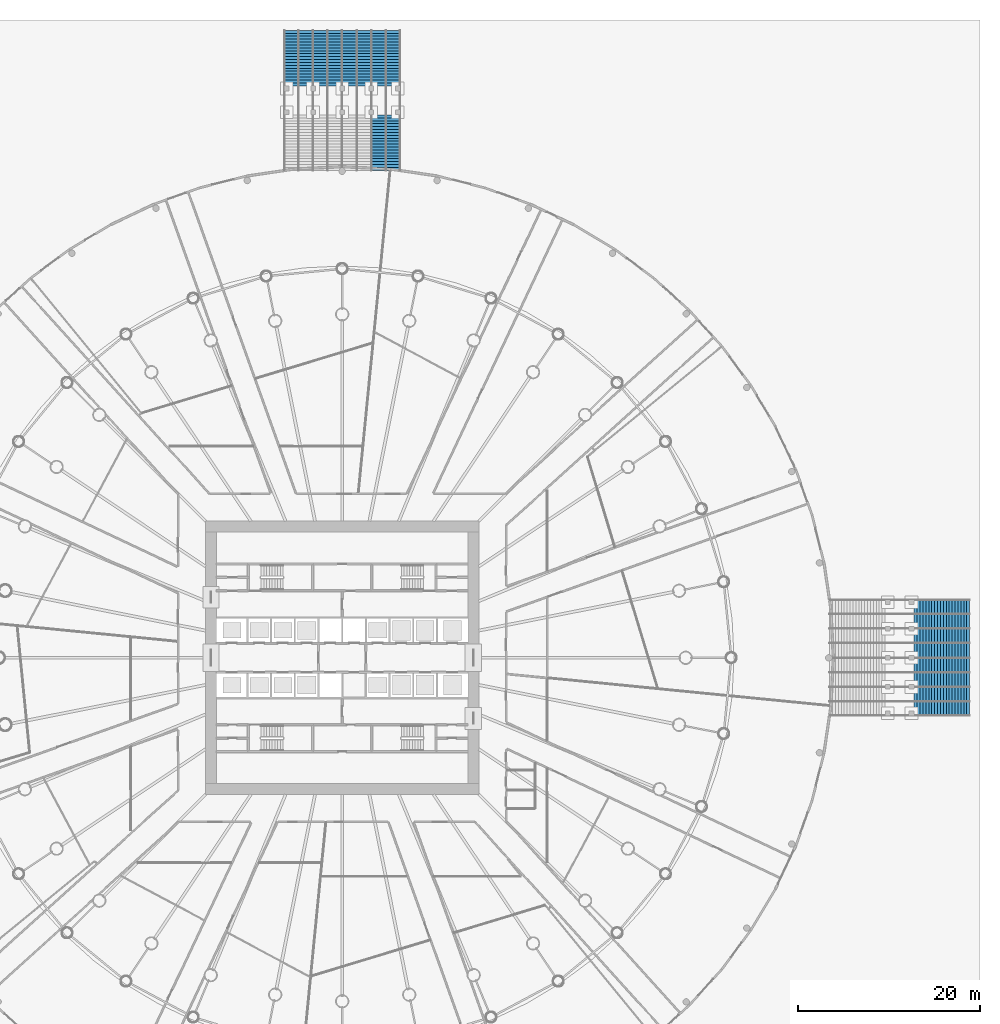
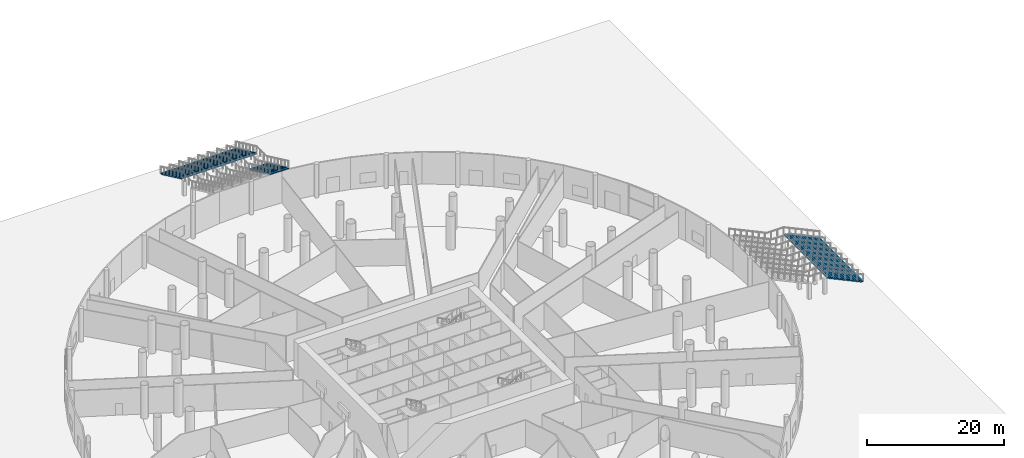
# One storey, part 26 of 33: 9 stair flights, 8 elements without a shape of their own.
"""IFC4 building model written with IfcOpenShell, lengths in metres."""

from ifc_helpers import new_model, si_unit, direction, frame, origin, place, context, subcontext, project, spatial, polyline, outline, extrude, material, type_object, element, aggregate, save


model = new_model("IFC4")

# Units and contexts
model_context = context("Model", 3, precision=1e-05, world=origin(), true_north=direction((0.0, 1.0)))
body_context = subcontext(model_context, "Body", "Model", "MODEL_VIEW")
ifc_project = project(units=[si_unit("LENGTHUNIT", "METRE"), si_unit("AREAUNIT", "SQUARE_METRE"), si_unit("VOLUMEUNIT", "CUBIC_METRE"), si_unit("PLANEANGLEUNIT", "RADIAN"), si_unit("MASSUNIT", "GRAM", prefix="KILO")], contexts=[model_context])

# Site, building, storey
site_placement = place(None, origin())
site = spatial("IfcSite", under=ifc_project, at=site_placement, CompositionType="ELEMENT")
building_placement = place(site_placement, origin())
building = spatial("IfcBuilding", under=site, at=building_placement, Name="Corvane Civic Tower", CompositionType="ELEMENT")
storey_placement = place(building_placement, origin())
storey = spatial("IfcBuildingStorey", under=building, at=storey_placement, Name="G", CompositionType="ELEMENT", Elevation=0.0)

# Stair, stair flights
ifc_material_1 = material(Name="Concrete C40/50", Category="concrete")
stair_type = type_object("IfcStairType", Name="PODIUM-ST-BROAD-EXT", PredefinedType="USERDEFINED", material=ifc_material_1)
stair_1_placement = place(storey_placement, origin())
stair_1 = element("IfcStair", 1, at=stair_1_placement, inside=storey, type_object=stair_type, Name="Broad exterior stair north run A", ObjectType="BROAD STEPS", PredefinedType="USERDEFINED")
ifc_material_2 = material(Name="Concrete C40/50", Category="concrete")
stair_flight_type = type_object("IfcStairFlightType", Name="PODIUM-SFL-BROAD-C40", PredefinedType="STRAIGHT", material=ifc_material_2)
stair_flight_1_placement = place(storey_placement, frame((4.800048828125, 68.860107421875, 0.0), z_axis=(0.0, 0.0, 1.0), x_axis=(0.0, -1.0, 0.0)))
stair_flight_1 = element("IfcStairFlight", 2, at=stair_flight_1_placement, type_object=stair_flight_type, Name="BS1-A flight 1", NumberOfRisers=20, NumberOfTreads=19, PredefinedType="STRAIGHT", RiserHeight=0.15, TreadLength=0.32, context=body_context, shape_type="SweptSolid", body=[
    extrude(outline(polyline([(0.0, 0.0), (0.0, 0.14990234375), (0.320068359375, 0.14990234375), (0.320068359375, 0.300048828125), (0.639892578125, 0.300048828125), (0.639892578125, 0.449951171875), (0.9599609375, 0.449951171875), (0.9599609375, 0.60009765625), (1.280029296875, 0.60009765625), (1.280029296875, 0.75), (1.60009765625, 0.75), (1.60009765625, 0.89990234375), (1.919921875, 0.89990234375), (1.919921875, 1.050048828125), (2.239990234375, 1.050048828125), (2.239990234375, 1.199951171875), (2.56005859375, 1.199951171875), (2.56005859375, 1.35009765625), (2.8798828125, 1.35009765625), (2.8798828125, 1.5), (3.199951171875, 1.5), (3.199951171875, 1.64990234375), (3.52001953125, 1.64990234375), (3.52001953125, 1.800048828125), (3.840087890625, 1.800048828125), (3.840087890625, 1.949951171875), (4.159912109375, 1.949951171875), (4.159912109375, 2.10009765625), (4.47998046875, 2.10009765625), (4.47998046875, 2.25), (4.800048828125, 2.25), (4.800048828125, 2.39990234375), (5.1201171875, 2.39990234375), (5.1201171875, 2.550048828125), (5.43994140625, 2.550048828125), (5.43994140625, 2.699951171875), (5.760009765625, 2.699951171875), (5.760009765625, 2.85009765625), (6.080078125, 2.85009765625), (6.080078125, 3.0), (6.080078125, 2.684326171875), (0.353271484375, 0.0), (0.0, 0.0)])), frame((0.0, 1.60009765625, 0.0), z_axis=(0.0, -1.0, 0.0), x_axis=(1.0, 0.0, 0.0)), (0.0, 0.0, 1.0), 3.199951171875),
])
stair_flight_2_placement = place(storey_placement, frame((4.800048828125, 59.580078125, 3.0), z_axis=(0.0, 0.0, 1.0), x_axis=(0.0, -1.0, 0.0)))
stair_flight_2 = element("IfcStairFlight", 3, at=stair_flight_2_placement, type_object=stair_flight_type, Name="BS1-A flight 2", NumberOfRisers=20, NumberOfTreads=19, PredefinedType="STRAIGHT", RiserHeight=0.15, TreadLength=0.32, context=body_context, shape_type="SweptSolid", body=[
    extrude(outline(polyline([(0.0, 0.0), (0.0, 0.14990234375), (0.320068359375, 0.14990234375), (0.320068359375, 0.300048828125), (0.639892578125, 0.300048828125), (0.639892578125, 0.449951171875), (0.9599609375, 0.449951171875), (0.9599609375, 0.60009765625), (1.280029296875, 0.60009765625), (1.280029296875, 0.75), (1.60009765625, 0.75), (1.60009765625, 0.89990234375), (1.919921875, 0.89990234375), (1.919921875, 1.050048828125), (2.239990234375, 1.050048828125), (2.239990234375, 1.199951171875), (2.56005859375, 1.199951171875), (2.56005859375, 1.35009765625), (2.8798828125, 1.35009765625), (2.8798828125, 1.5), (3.199951171875, 1.5), (3.199951171875, 1.64990234375), (3.52001953125, 1.64990234375), (3.52001953125, 1.800048828125), (3.840087890625, 1.800048828125), (3.840087890625, 1.949951171875), (4.159912109375, 1.949951171875), (4.159912109375, 2.10009765625), (4.47998046875, 2.10009765625), (4.47998046875, 2.25), (4.800048828125, 2.25), (4.800048828125, 2.39990234375), (5.1201171875, 2.39990234375), (5.1201171875, 2.550048828125), (5.43994140625, 2.550048828125), (5.43994140625, 2.699951171875), (5.760009765625, 2.699951171875), (5.760009765625, 2.85009765625), (6.080078125, 2.85009765625), (6.080078125, 3.0), (6.080078125, 2.684326171875), (0.353271484375, 0.0), (0.0, 0.0)])), frame((0.0, 1.60009765625, 0.0), z_axis=(0.0, -1.0, 0.0), x_axis=(1.0, 0.0, 0.0)), (0.0, 0.0, 1.0), 3.199951171875),
])
aggregate(stair_1, [stair_flight_1, stair_flight_2])

# Stair, stair flight
stair_2_placement = place(storey_placement, origin())
stair_2 = element("IfcStair", 4, at=stair_2_placement, inside=storey, type_object=stair_type, Name="Broad exterior stair north run B", ObjectType="BROAD STEPS", PredefinedType="USERDEFINED")
stair_flight_3_placement = place(storey_placement, frame((1.60009765625, 68.860107421875, 0.0), z_axis=(0.0, 0.0, 1.0), x_axis=(0.0, -1.0, 0.0)))
stair_flight_3 = element("IfcStairFlight", 5, at=stair_flight_3_placement, type_object=stair_flight_type, Name="BS1-B flight 1", NumberOfRisers=20, NumberOfTreads=19, PredefinedType="STRAIGHT", RiserHeight=0.15, TreadLength=0.32, context=body_context, shape_type="SweptSolid", body=[
    extrude(outline(polyline([(0.0, 0.0), (0.0, 0.14990234375), (0.320068359375, 0.14990234375), (0.320068359375, 0.300048828125), (0.639892578125, 0.300048828125), (0.639892578125, 0.449951171875), (0.9599609375, 0.449951171875), (0.9599609375, 0.60009765625), (1.280029296875, 0.60009765625), (1.280029296875, 0.75), (1.60009765625, 0.75), (1.60009765625, 0.89990234375), (1.919921875, 0.89990234375), (1.919921875, 1.050048828125), (2.239990234375, 1.050048828125), (2.239990234375, 1.199951171875), (2.56005859375, 1.199951171875), (2.56005859375, 1.35009765625), (2.8798828125, 1.35009765625), (2.8798828125, 1.5), (3.199951171875, 1.5), (3.199951171875, 1.64990234375), (3.52001953125, 1.64990234375), (3.52001953125, 1.800048828125), (3.840087890625, 1.800048828125), (3.840087890625, 1.949951171875), (4.159912109375, 1.949951171875), (4.159912109375, 2.10009765625), (4.47998046875, 2.10009765625), (4.47998046875, 2.25), (4.800048828125, 2.25), (4.800048828125, 2.39990234375), (5.1201171875, 2.39990234375), (5.1201171875, 2.550048828125), (5.43994140625, 2.550048828125), (5.43994140625, 2.699951171875), (5.760009765625, 2.699951171875), (5.760009765625, 2.85009765625), (6.080078125, 2.85009765625), (6.080078125, 3.0), (6.080078125, 2.684326171875), (0.353271484375, 0.0), (0.0, 0.0)])), frame((0.0, 1.60009765625, 0.0), z_axis=(0.0, -1.0, 0.0), x_axis=(1.0, 0.0, 0.0)), (0.0, 0.0, 1.0), 3.199951171875),
])
aggregate(stair_2, [stair_flight_3])

stair_3_placement = place(storey_placement, origin())
stair_3 = element("IfcStair", 6, at=stair_3_placement, inside=storey, type_object=stair_type, Name="Broad exterior stair north run C", ObjectType="BROAD STEPS", PredefinedType="USERDEFINED")
stair_flight_4_placement = place(storey_placement, frame((-1.60009765625, 68.860107421875, 0.0), z_axis=(0.0, 0.0, 1.0), x_axis=(0.0, -1.0, 0.0)))
stair_flight_4 = element("IfcStairFlight", 7, at=stair_flight_4_placement, type_object=stair_flight_type, Name="BS1-C flight 1", NumberOfRisers=20, NumberOfTreads=19, PredefinedType="STRAIGHT", RiserHeight=0.15, TreadLength=0.32, context=body_context, shape_type="SweptSolid", body=[
    extrude(outline(polyline([(0.0, 0.0), (0.0, 0.14990234375), (0.320068359375, 0.14990234375), (0.320068359375, 0.300048828125), (0.639892578125, 0.300048828125), (0.639892578125, 0.449951171875), (0.9599609375, 0.449951171875), (0.9599609375, 0.60009765625), (1.280029296875, 0.60009765625), (1.280029296875, 0.75), (1.60009765625, 0.75), (1.60009765625, 0.89990234375), (1.919921875, 0.89990234375), (1.919921875, 1.050048828125), (2.239990234375, 1.050048828125), (2.239990234375, 1.199951171875), (2.56005859375, 1.199951171875), (2.56005859375, 1.35009765625), (2.8798828125, 1.35009765625), (2.8798828125, 1.5), (3.199951171875, 1.5), (3.199951171875, 1.64990234375), (3.52001953125, 1.64990234375), (3.52001953125, 1.800048828125), (3.840087890625, 1.800048828125), (3.840087890625, 1.949951171875), (4.159912109375, 1.949951171875), (4.159912109375, 2.10009765625), (4.47998046875, 2.10009765625), (4.47998046875, 2.25), (4.800048828125, 2.25), (4.800048828125, 2.39990234375), (5.1201171875, 2.39990234375), (5.1201171875, 2.550048828125), (5.43994140625, 2.550048828125), (5.43994140625, 2.699951171875), (5.760009765625, 2.699951171875), (5.760009765625, 2.85009765625), (6.080078125, 2.85009765625), (6.080078125, 3.0), (6.080078125, 2.684326171875), (0.353271484375, 0.0), (0.0, 0.0)])), frame((0.0, 1.60009765625, 0.0), z_axis=(0.0, -1.0, 0.0), x_axis=(1.0, 0.0, 0.0)), (0.0, 0.0, 1.0), 3.199951171875),
])
aggregate(stair_3, [stair_flight_4])

stair_4_placement = place(storey_placement, origin())
stair_4 = element("IfcStair", 8, at=stair_4_placement, inside=storey, type_object=stair_type, Name="Broad exterior stair north run D", ObjectType="BROAD STEPS", PredefinedType="USERDEFINED")
stair_flight_5_placement = place(storey_placement, frame((-4.800048828125, 68.860107421875, 0.0), z_axis=(0.0, 0.0, 1.0), x_axis=(0.0, -1.0, 0.0)))
stair_flight_5 = element("IfcStairFlight", 9, at=stair_flight_5_placement, type_object=stair_flight_type, Name="BS1-D flight 1", NumberOfRisers=20, NumberOfTreads=19, PredefinedType="STRAIGHT", RiserHeight=0.15, TreadLength=0.32, context=body_context, shape_type="SweptSolid", body=[
    extrude(outline(polyline([(0.0, 0.0), (0.0, 0.14990234375), (0.320068359375, 0.14990234375), (0.320068359375, 0.300048828125), (0.639892578125, 0.300048828125), (0.639892578125, 0.449951171875), (0.9599609375, 0.449951171875), (0.9599609375, 0.60009765625), (1.280029296875, 0.60009765625), (1.280029296875, 0.75), (1.60009765625, 0.75), (1.60009765625, 0.89990234375), (1.919921875, 0.89990234375), (1.919921875, 1.050048828125), (2.239990234375, 1.050048828125), (2.239990234375, 1.199951171875), (2.56005859375, 1.199951171875), (2.56005859375, 1.35009765625), (2.8798828125, 1.35009765625), (2.8798828125, 1.5), (3.199951171875, 1.5), (3.199951171875, 1.64990234375), (3.52001953125, 1.64990234375), (3.52001953125, 1.800048828125), (3.840087890625, 1.800048828125), (3.840087890625, 1.949951171875), (4.159912109375, 1.949951171875), (4.159912109375, 2.10009765625), (4.47998046875, 2.10009765625), (4.47998046875, 2.25), (4.800048828125, 2.25), (4.800048828125, 2.39990234375), (5.1201171875, 2.39990234375), (5.1201171875, 2.550048828125), (5.43994140625, 2.550048828125), (5.43994140625, 2.699951171875), (5.760009765625, 2.699951171875), (5.760009765625, 2.85009765625), (6.080078125, 2.85009765625), (6.080078125, 3.0), (6.080078125, 2.684326171875), (0.353271484375, 0.0), (0.0, 0.0)])), frame((0.0, 1.60009765625, 0.0), z_axis=(0.0, -1.0, 0.0), x_axis=(1.0, 0.0, 0.0)), (0.0, 0.0, 1.0), 3.199951171875),
])
aggregate(stair_4, [stair_flight_5])

stair_5_placement = place(storey_placement, origin())
stair_5 = element("IfcStair", 10, at=stair_5_placement, inside=storey, type_object=stair_type, Name="Broad exterior stair east run A", ObjectType="BROAD STEPS", PredefinedType="USERDEFINED")
stair_flight_6_placement = place(storey_placement, frame((68.860107421875, -4.800048828125, 0.0), z_axis=(0.0, 0.0, 1.0), x_axis=(-1.0, 0.0, 0.0)))
stair_flight_6 = element("IfcStairFlight", 11, at=stair_flight_6_placement, type_object=stair_flight_type, Name="BS2-A flight 1", NumberOfRisers=20, NumberOfTreads=19, PredefinedType="STRAIGHT", RiserHeight=0.15, TreadLength=0.32, context=body_context, shape_type="SweptSolid", body=[
    extrude(outline(polyline([(0.0, 0.0), (0.0, 0.14990234375), (0.320068359375, 0.14990234375), (0.320068359375, 0.300048828125), (0.639892578125, 0.300048828125), (0.639892578125, 0.449951171875), (0.9599609375, 0.449951171875), (0.9599609375, 0.60009765625), (1.280029296875, 0.60009765625), (1.280029296875, 0.75), (1.60009765625, 0.75), (1.60009765625, 0.89990234375), (1.919921875, 0.89990234375), (1.919921875, 1.050048828125), (2.239990234375, 1.050048828125), (2.239990234375, 1.199951171875), (2.56005859375, 1.199951171875), (2.56005859375, 1.35009765625), (2.8798828125, 1.35009765625), (2.8798828125, 1.5), (3.199951171875, 1.5), (3.199951171875, 1.64990234375), (3.52001953125, 1.64990234375), (3.52001953125, 1.800048828125), (3.840087890625, 1.800048828125), (3.840087890625, 1.949951171875), (4.159912109375, 1.949951171875), (4.159912109375, 2.10009765625), (4.47998046875, 2.10009765625), (4.47998046875, 2.25), (4.800048828125, 2.25), (4.800048828125, 2.39990234375), (5.1201171875, 2.39990234375), (5.1201171875, 2.550048828125), (5.43994140625, 2.550048828125), (5.43994140625, 2.699951171875), (5.760009765625, 2.699951171875), (5.760009765625, 2.85009765625), (6.080078125, 2.85009765625), (6.080078125, 3.0), (6.080078125, 2.684326171875), (0.353271484375, 0.0), (0.0, 0.0)])), frame((0.0, 1.60009765625, 0.0), z_axis=(0.0, -1.0, 0.0), x_axis=(1.0, 0.0, 0.0)), (0.0, 0.0, 1.0), 3.199951171875),
])
aggregate(stair_5, [stair_flight_6])

stair_6_placement = place(storey_placement, origin())
stair_6 = element("IfcStair", 12, at=stair_6_placement, inside=storey, type_object=stair_type, Name="Broad exterior stair east run B", ObjectType="BROAD STEPS", PredefinedType="USERDEFINED")
stair_flight_7_placement = place(storey_placement, frame((68.860107421875, -1.60009765625, 0.0), z_axis=(0.0, 0.0, 1.0), x_axis=(-1.0, 0.0, 0.0)))
stair_flight_7 = element("IfcStairFlight", 13, at=stair_flight_7_placement, type_object=stair_flight_type, Name="BS2-B flight 1", NumberOfRisers=20, NumberOfTreads=19, PredefinedType="STRAIGHT", RiserHeight=0.15, TreadLength=0.32, context=body_context, shape_type="SweptSolid", body=[
    extrude(outline(polyline([(0.0, 0.0), (0.0, 0.14990234375), (0.320068359375, 0.14990234375), (0.320068359375, 0.300048828125), (0.639892578125, 0.300048828125), (0.639892578125, 0.449951171875), (0.9599609375, 0.449951171875), (0.9599609375, 0.60009765625), (1.280029296875, 0.60009765625), (1.280029296875, 0.75), (1.60009765625, 0.75), (1.60009765625, 0.89990234375), (1.919921875, 0.89990234375), (1.919921875, 1.050048828125), (2.239990234375, 1.050048828125), (2.239990234375, 1.199951171875), (2.56005859375, 1.199951171875), (2.56005859375, 1.35009765625), (2.8798828125, 1.35009765625), (2.8798828125, 1.5), (3.199951171875, 1.5), (3.199951171875, 1.64990234375), (3.52001953125, 1.64990234375), (3.52001953125, 1.800048828125), (3.840087890625, 1.800048828125), (3.840087890625, 1.949951171875), (4.159912109375, 1.949951171875), (4.159912109375, 2.10009765625), (4.47998046875, 2.10009765625), (4.47998046875, 2.25), (4.800048828125, 2.25), (4.800048828125, 2.39990234375), (5.1201171875, 2.39990234375), (5.1201171875, 2.550048828125), (5.43994140625, 2.550048828125), (5.43994140625, 2.699951171875), (5.760009765625, 2.699951171875), (5.760009765625, 2.85009765625), (6.080078125, 2.85009765625), (6.080078125, 3.0), (6.080078125, 2.684326171875), (0.353271484375, 0.0), (0.0, 0.0)])), frame((0.0, 1.60009765625, 0.0), z_axis=(0.0, -1.0, 0.0), x_axis=(1.0, 0.0, 0.0)), (0.0, 0.0, 1.0), 3.199951171875),
])
aggregate(stair_6, [stair_flight_7])

stair_7_placement = place(storey_placement, origin())
stair_7 = element("IfcStair", 14, at=stair_7_placement, inside=storey, type_object=stair_type, Name="Broad exterior stair east run C", ObjectType="BROAD STEPS", PredefinedType="USERDEFINED")
stair_flight_8_placement = place(storey_placement, frame((68.860107421875, 1.60009765625, 0.0), z_axis=(0.0, 0.0, 1.0), x_axis=(-1.0, 0.0, 0.0)))
stair_flight_8 = element("IfcStairFlight", 15, at=stair_flight_8_placement, type_object=stair_flight_type, Name="BS2-C flight 1", NumberOfRisers=20, NumberOfTreads=19, PredefinedType="STRAIGHT", RiserHeight=0.15, TreadLength=0.32, context=body_context, shape_type="SweptSolid", body=[
    extrude(outline(polyline([(0.0, 0.0), (0.0, 0.14990234375), (0.320068359375, 0.14990234375), (0.320068359375, 0.300048828125), (0.639892578125, 0.300048828125), (0.639892578125, 0.449951171875), (0.9599609375, 0.449951171875), (0.9599609375, 0.60009765625), (1.280029296875, 0.60009765625), (1.280029296875, 0.75), (1.60009765625, 0.75), (1.60009765625, 0.89990234375), (1.919921875, 0.89990234375), (1.919921875, 1.050048828125), (2.239990234375, 1.050048828125), (2.239990234375, 1.199951171875), (2.56005859375, 1.199951171875), (2.56005859375, 1.35009765625), (2.8798828125, 1.35009765625), (2.8798828125, 1.5), (3.199951171875, 1.5), (3.199951171875, 1.64990234375), (3.52001953125, 1.64990234375), (3.52001953125, 1.800048828125), (3.840087890625, 1.800048828125), (3.840087890625, 1.949951171875), (4.159912109375, 1.949951171875), (4.159912109375, 2.10009765625), (4.47998046875, 2.10009765625), (4.47998046875, 2.25), (4.800048828125, 2.25), (4.800048828125, 2.39990234375), (5.1201171875, 2.39990234375), (5.1201171875, 2.550048828125), (5.43994140625, 2.550048828125), (5.43994140625, 2.699951171875), (5.760009765625, 2.699951171875), (5.760009765625, 2.85009765625), (6.080078125, 2.85009765625), (6.080078125, 3.0), (6.080078125, 2.684326171875), (0.353271484375, 0.0), (0.0, 0.0)])), frame((0.0, 1.60009765625, 0.0), z_axis=(0.0, -1.0, 0.0), x_axis=(1.0, 0.0, 0.0)), (0.0, 0.0, 1.0), 3.199951171875),
])
aggregate(stair_7, [stair_flight_8])

stair_8_placement = place(storey_placement, origin())
stair_8 = element("IfcStair", 16, at=stair_8_placement, inside=storey, type_object=stair_type, Name="Broad exterior stair east run D", ObjectType="BROAD STEPS", PredefinedType="USERDEFINED")
stair_flight_9_placement = place(storey_placement, frame((68.860107421875, 4.800048828125, 0.0), z_axis=(0.0, 0.0, 1.0), x_axis=(-1.0, 0.0, 0.0)))
stair_flight_9 = element("IfcStairFlight", 17, at=stair_flight_9_placement, type_object=stair_flight_type, Name="BS2-D flight 1", NumberOfRisers=20, NumberOfTreads=19, PredefinedType="STRAIGHT", RiserHeight=0.15, TreadLength=0.32, context=body_context, shape_type="SweptSolid", body=[
    extrude(outline(polyline([(0.0, 0.0), (0.0, 0.14990234375), (0.320068359375, 0.14990234375), (0.320068359375, 0.300048828125), (0.639892578125, 0.300048828125), (0.639892578125, 0.449951171875), (0.9599609375, 0.449951171875), (0.9599609375, 0.60009765625), (1.280029296875, 0.60009765625), (1.280029296875, 0.75), (1.60009765625, 0.75), (1.60009765625, 0.89990234375), (1.919921875, 0.89990234375), (1.919921875, 1.050048828125), (2.239990234375, 1.050048828125), (2.239990234375, 1.199951171875), (2.56005859375, 1.199951171875), (2.56005859375, 1.35009765625), (2.8798828125, 1.35009765625), (2.8798828125, 1.5), (3.199951171875, 1.5), (3.199951171875, 1.64990234375), (3.52001953125, 1.64990234375), (3.52001953125, 1.800048828125), (3.840087890625, 1.800048828125), (3.840087890625, 1.949951171875), (4.159912109375, 1.949951171875), (4.159912109375, 2.10009765625), (4.47998046875, 2.10009765625), (4.47998046875, 2.25), (4.800048828125, 2.25), (4.800048828125, 2.39990234375), (5.1201171875, 2.39990234375), (5.1201171875, 2.550048828125), (5.43994140625, 2.550048828125), (5.43994140625, 2.699951171875), (5.760009765625, 2.699951171875), (5.760009765625, 2.85009765625), (6.080078125, 2.85009765625), (6.080078125, 3.0), (6.080078125, 2.684326171875), (0.353271484375, 0.0), (0.0, 0.0)])), frame((0.0, 1.60009765625, 0.0), z_axis=(0.0, -1.0, 0.0), x_axis=(1.0, 0.0, 0.0)), (0.0, 0.0, 1.0), 3.199951171875),
])
aggregate(stair_8, [stair_flight_9])

save(model, "model.ifc")
